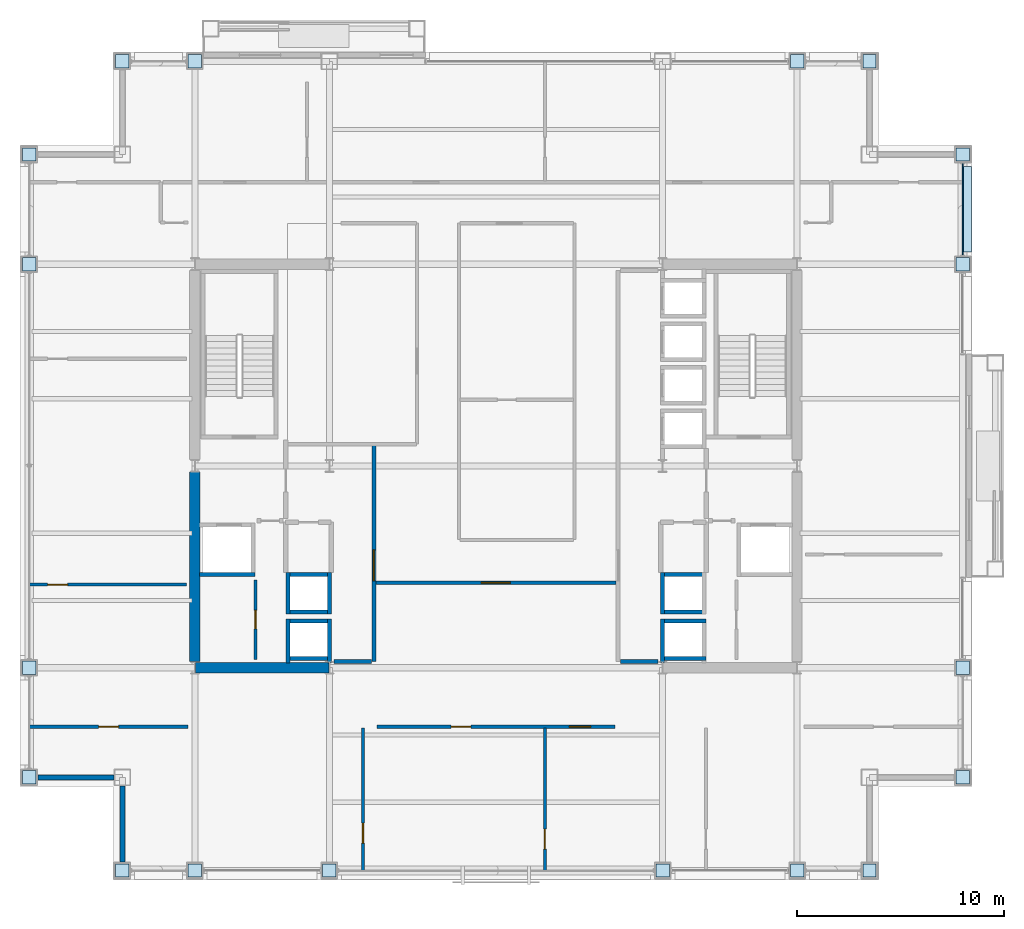
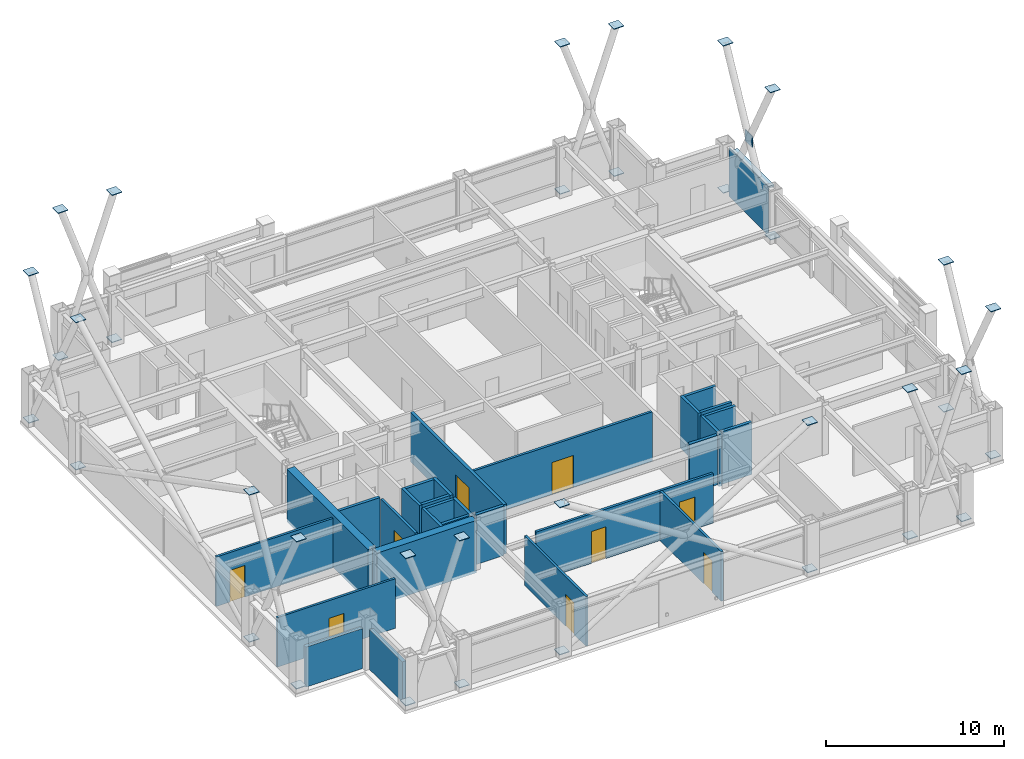
# One storey, part 27 of 33: 39 plates, 29 walls, 9 doors, 9 openings, 1 element without a shape of its own.
"""IFC4 building model written with IfcOpenShell, lengths in metres."""

from ifc_helpers import new_model, si_unit, direction, frame, frame_2d, origin, origin_2d, place, context, subcontext, project, spatial, rectangle, extrude, material, layer, layer_set, type_object, element, fill, aggregate, save


model = new_model("IFC4")

# Units and contexts
model_context = context("Model", 3, precision=1e-05, world=origin(), true_north=direction((0.0, 1.0)))
body_context = subcontext(model_context, "Body", "Model", "MODEL_VIEW")
ifc_project = project(units=[si_unit("LENGTHUNIT", "METRE"), si_unit("AREAUNIT", "SQUARE_METRE"), si_unit("VOLUMEUNIT", "CUBIC_METRE"), si_unit("PLANEANGLEUNIT", "RADIAN"), si_unit("MASSUNIT", "GRAM", prefix="KILO")], contexts=[model_context])

# Site, building, storey
site_placement = place(None, origin())
site = spatial("IfcSite", under=ifc_project, at=site_placement, CompositionType="ELEMENT")
building_placement = place(site_placement, origin())
building = spatial("IfcBuilding", under=site, at=building_placement, Name="Brelmoor Portico Tower", CompositionType="ELEMENT")
storey_placement = place(building_placement, frame((0.0, 0.0, 120.60009765625)))
storey = spatial("IfcBuildingStorey", under=building, at=storey_placement, Name="L31", CompositionType="ELEMENT", Elevation=120.60009765625)

# Plates
ifc_material_1 = material(Name="Steel Q355B", Category="steel")
ifc_layer_1 = layer(ifc_material_1, 0.044921875)
ifc_layer_set_1 = layer_set([ifc_layer_1], Name="Steel Q355B")
plate_type_1 = type_object("IfcPlateType", Name="PT-CAP-650", PredefinedType="SHEET", material=ifc_layer_set_1)
for number, where, z_axis, x_axis, name in (
    (1, (-18.050048828125, -19.550048828125, 0.2275390625), (0.0, 0.0, 1.0), (1.0, 0.0, 0.0), "L31 Continuous Mega-X Brace 064A Joint Cap Plate 1"),
    (2, (-14.550048828125, -19.550048828125, 10.327392578125), (0.0, 0.0, 1.0), (1.0, 0.0, 0.0), "L31 Continuous Mega-X Brace 064A Joint Cap Plate 2"),
    (3, (-14.550048828125, -19.550048828125, 0.2275390625), (0.0, 0.0, 1.0), (1.0, 0.0, 0.0), "L31 Split Mega-X Brace 064B1 Joint Cap Plate 1"),
    (4, (-18.050048828125, -19.550048828125, 10.327392578125), (0.0, 0.0, 1.0), (1.0, 0.0, 0.0), "L31 Split Mega-X Brace 064B2 Joint Cap Plate 2"),
    (5, (-8.050048828125, -19.550048828125, 0.2275390625), (0.0, 0.0, 1.0), (1.0, 0.0, 0.0), "L31 Continuous Mega-X Brace 065A Joint Cap Plate 1"),
    (6, (8.050048828125, -19.550048828125, 10.327392578125), (0.0, 0.0, 1.0), (1.0, 0.0, 0.0), "L31 Continuous Mega-X Brace 065A Joint Cap Plate 2"),
    (7, (8.050048828125, -19.550048828125, 0.2275390625), (0.0, 0.0, 1.0), (1.0, 0.0, 0.0), "L31 Split Mega-X Brace 065B1 Joint Cap Plate 1"),
    (8, (-8.050048828125, -19.550048828125, 10.327392578125), (0.0, 0.0, 1.0), (1.0, 0.0, 0.0), "L31 Split Mega-X Brace 065B2 Joint Cap Plate 2"),
    (9, (14.550048828125, -19.550048828125, 0.2275390625), (0.0, 0.0, 1.0), (1.0, 0.0, 0.0), "L31 Continuous Mega-X Brace 066A Joint Cap Plate 1"),
    (10, (18.050048828125, -19.550048828125, 10.327392578125), (0.0, 0.0, 1.0), (1.0, 0.0, 0.0), "L31 Continuous Mega-X Brace 066A Joint Cap Plate 2"),
    (11, (18.050048828125, -19.550048828125, 0.2275390625), (0.0, 0.0, 1.0), (1.0, 0.0, 0.0), "L31 Split Mega-X Brace 066B1 Joint Cap Plate 1"),
    (12, (14.550048828125, -19.550048828125, 10.327392578125), (0.0, 0.0, 1.0), (1.0, 0.0, 0.0), "L31 Split Mega-X Brace 066B2 Joint Cap Plate 2"),
    (13, (-18.050048828125, 19.550048828125, 0.2275390625), (0.0, 0.0, 1.0), (1.0, 0.0, 0.0), "L31 Continuous Mega-X Brace 067A Joint Cap Plate 1"),
    (14, (-14.550048828125, 19.550048828125, 10.327392578125), (0.0, 0.0, 1.0), (1.0, 0.0, 0.0), "L31 Continuous Mega-X Brace 067A Joint Cap Plate 2"),
    (15, (-14.550048828125, 19.550048828125, 0.2275390625), (0.0, 0.0, 1.0), (1.0, 0.0, 0.0), "L31 Split Mega-X Brace 067B1 Joint Cap Plate 1"),
    (16, (-18.050048828125, 19.550048828125, 10.327392578125), (0.0, 0.0, 1.0), (1.0, 0.0, 0.0), "L31 Split Mega-X Brace 067B2 Joint Cap Plate 2"),
    (17, (14.550048828125, 19.550048828125, 0.2275390625), (0.0, 0.0, 1.0), (1.0, 0.0, 0.0), "L31 Continuous Mega-X Brace 068A Joint Cap Plate 1"),
    (18, (18.050048828125, 19.550048828125, 10.327392578125), (0.0, 0.0, 1.0), (1.0, 0.0, 0.0), "L31 Continuous Mega-X Brace 068A Joint Cap Plate 2"),
    (19, (18.050048828125, 19.550048828125, 0.2275390625), (0.0, 0.0, 1.0), (1.0, 0.0, 0.0), "L31 Split Mega-X Brace 068B1 Joint Cap Plate 1"),
    (20, (14.550048828125, 19.550048828125, 10.327392578125), (0.0, 0.0, 1.0), (1.0, 0.0, 0.0), "L31 Split Mega-X Brace 068B2 Joint Cap Plate 2"),
    (21, (-22.550048828125, -15.050048828125, 0.2275390625), (0.0, 0.0, 1.0), (1.0, 0.0, 0.0), "L31 Continuous Mega-X Brace 069A Joint Cap Plate 1"),
    (22, (-22.550048828125, -9.75, 10.327392578125), (0.0, 0.0, 1.0), (1.0, 0.0, 0.0), "L31 Continuous Mega-X Brace 069A Joint Cap Plate 2"),
    (23, (-22.550048828125, -9.75, 0.2275390625), (0.0, 0.0, 1.0), (1.0, 0.0, 0.0), "L31 Split Mega-X Brace 069B1 Joint Cap Plate 1"),
    (24, (-22.550048828125, -15.050048828125, 10.327392578125), (0.0, 0.0, 1.0), (1.0, 0.0, 0.0), "L31 Split Mega-X Brace 069B2 Joint Cap Plate 2"),
    (25, (-22.550048828125, 9.75, 10.327392578125), (0.0, 0.0, 1.0), (1.0, 0.0, 0.0), "L31 Continuous Mega-X Brace 070A Joint Cap Plate 2"),
    (26, (-22.550048828125, 9.75, 0.2275390625), (0.0, 0.0, 1.0), (1.0, 0.0, 0.0), "L31 Split Mega-X Brace 070B1 Joint Cap Plate 1"),
    (27, (-22.550048828125, 15.050048828125, 10.327392578125), (0.0, 0.0, 1.0), (1.0, 0.0, 0.0), "L31 Continuous Mega-X Brace 071A Joint Cap Plate 2"),
    (28, (-22.550048828125, 15.050048828125, 0.2275390625), (0.0, 0.0, 1.0), (1.0, 0.0, 0.0), "L31 Split Mega-X Brace 071B1 Joint Cap Plate 1"),
    (29, (22.550048828125, -15.050048828125, 0.2275390625), (0.0, 0.0, 1.0), (1.0, 0.0, 0.0), "L31 Continuous Mega-X Brace 072A Joint Cap Plate 1"),
    (30, (22.550048828125, -9.75, 10.327392578125), (0.0, 0.0, 1.0), (1.0, 0.0, 0.0), "L31 Continuous Mega-X Brace 072A Joint Cap Plate 2"),
    (31, (22.550048828125, -9.75, 0.2275390625), (0.0, 0.0, 1.0), (1.0, 0.0, 0.0), "L31 Split Mega-X Brace 072B1 Joint Cap Plate 1"),
    (32, (22.550048828125, -15.050048828125, 10.327392578125), (0.0, 0.0, 1.0), (1.0, 0.0, 0.0), "L31 Split Mega-X Brace 072B2 Joint Cap Plate 2"),
    (33, (22.550048828125, 9.75, 0.2275390625), (0.0, 0.0, 1.0), (1.0, 0.0, 0.0), "L31 Continuous Mega-X Brace 073A Joint Cap Plate 1"),
    (34, (22.550048828125, 15.050048828125, 10.327392578125), (0.0, 0.0, 1.0), (1.0, 0.0, 0.0), "L31 Continuous Mega-X Brace 073A Joint Cap Plate 2"),
    (35, (22.550048828125, 15.050048828125, 0.2275390625), (0.0, 0.0, 1.0), (1.0, 0.0, 0.0), "L31 Split Mega-X Brace 073B1 Joint Cap Plate 1"),
    (36, (22.550048828125, 9.75, 10.327392578125), (0.0, 0.0, 1.0), (1.0, 0.0, 0.0), "L31 Split Mega-X Brace 073B2 Joint Cap Plate 2"),
):
    element("IfcPlate", number, at=place(storey_placement, frame(where, z_axis=z_axis, x_axis=x_axis)), inside=storey, type_object=plate_type_1, Name=name, PredefinedType="SHEET", context=body_context, shape_type="SweptSolid", body=[
        extrude(rectangle(XDim=0.64990234375, YDim=0.64990234375, at=origin_2d()), origin(), (0.0, 0.0, 1.0), 0.044921875),
    ])

# Curtain wall, plate
ifc_material_2 = material(Name="Anodised Aluminium Alloy 6063-T6", Category="aluminium")
ifc_layer_2 = layer(ifc_material_2, 0.179931640625)
ifc_layer_set_2 = layer_set([ifc_layer_2], Name="Anodised Aluminium Alloy 6063-T6")
curtain_wall_type = type_object("IfcCurtainWallType", Name="CW-TOWER-Z2-XB", PredefinedType="NOTDEFINED", material=ifc_layer_set_2)
curtain_wall_placement = place(storey_placement, origin())
curtain_wall = element("IfcCurtainWall", 37, at=curtain_wall_placement, inside=storey, type_object=curtain_wall_type, Name="L31 Curtain Wall CW-L31-4R-2", PredefinedType="NOTDEFINED")
ifc_material_3 = material(Name="Pale Champagne Anodised Aluminium Panel", Category="aluminium")
ifc_layer_3 = layer(ifc_material_3, 0.050048828125)
ifc_layer_set_3 = layer_set([ifc_layer_3], Name="Pale Champagne Anodised Aluminium Panel")
plate_type_2 = type_object("IfcPlateType", Name="PT-CW-SPANDREL", PredefinedType="SHEET", material=ifc_layer_set_3)
plate_1_placement = place(storey_placement, frame((22.550048828125, 12.39990234375, -0.000244140625), z_axis=(0.0, 0.0, 1.0), x_axis=(0.0, 1.0, 0.0)))
plate_1 = element("IfcPlate", 38, at=plate_1_placement, type_object=plate_type_2, Name="CW-L31-4R-2 Spandrel Panel 00", PredefinedType="SHEET", context=body_context, shape_type="SweptSolid", body=[
    extrude(rectangle(XDim=4.449951171875, YDim=0.050048828125, at=origin_2d()), origin(), (0.0, 0.0, 1.0), 3.330078125),
])
aggregate(curtain_wall, [plate_1])

# Plates
ifc_layer_4 = layer(ifc_material_1, 0.050048828125)
ifc_layer_set_4 = layer_set([ifc_layer_4], Name="Steel Q355B")
plate_type_3 = type_object("IfcPlateType", Name="PT-GUSSET-800", PredefinedType="USERDEFINED", material=ifc_layer_set_4)
plate_2_placement = place(storey_placement, frame((22.550048828125, 12.39990234375, 4.89990234375), z_axis=(0.0, 0.0, 1.0), x_axis=(1.0, 0.0, 0.0)))
element("IfcPlate", 39, at=plate_2_placement, inside=storey, type_object=plate_type_3, Name="L31 Perimeter Mega-Brace Gusset 073", ObjectType="GUSSET PLATE", PredefinedType="USERDEFINED", context=body_context, shape_type="SweptSolid", body=[
    extrude(rectangle(XDim=0.050048828125, YDim=0.800048828125, at=origin_2d()), origin(), (0.0, 0.0, 1.0), 0.800048828125),
])
ifc_material_4 = material(Name="Pale Champagne Perforated Aluminium Solar Screen", Category="aluminium")
ifc_layer_5 = layer(ifc_material_4, 0.054931640625)
ifc_layer_set_5 = layer_set([ifc_layer_5], Name="Pale Champagne Perforated Aluminium Solar Screen")
plate_type_4 = type_object("IfcPlateType", Name="PT-SOLAR-LOUVRE", PredefinedType="SHEET", material=ifc_layer_set_5)
plate_3_placement = place(storey_placement, frame((22.760009765625, 12.39990234375, 3.08984375), z_axis=(0.0, 0.0, 1.0), x_axis=(0.0, 1.0, 0.0)))
element("IfcPlate", 40, at=plate_3_placement, inside=storey, type_object=plate_type_4, Name="CW-L31-4R-2 Caribbean Brise-Soleil Solar Screen", PredefinedType="SHEET", context=body_context, shape_type="SweptSolid", body=[
    extrude(rectangle(XDim=4.1201171875, YDim=0.4599609375, at=origin_2d()), origin(), (0.0, 0.0, 1.0), 0.139892578125),
])

# Walls
ifc_material_5 = material(Name="Concrete C60", Category="concrete")
ifc_layer_6 = layer(ifc_material_5, 0.5)
ifc_layer_set_6 = layer_set([ifc_layer_6], Name="Concrete C60")
wall_type_1 = type_object("IfcWallType", Name="WL-CORE-500", PredefinedType="SHEAR", material=ifc_layer_set_6)
wall_1_placement = place(storey_placement, frame((-14.530029296875, -9.75, -0.2001953125), z_axis=(0.0, 0.0, 1.0), x_axis=(1.0, 0.0, 0.0)))
element("IfcWall", 41, at=wall_1_placement, inside=storey, type_object=wall_type_1, Name="L31 WC South Shear Wall", PredefinedType="SHEAR", context=body_context, shape_type="SweptSolid", body=[
    extrude(rectangle(XDim=6.4599609375, YDim=0.5, at=frame_2d((3.22998046875, 0.0))), origin(), (0.0, 0.0, 1.0), 3.60009765625),
])
wall_2_placement = place(storey_placement, frame((-14.550048828125, -9.449951171875, -0.2001953125), z_axis=(0.0, 0.0, 1.0), x_axis=(0.0, 1.0, 0.0)))
element("IfcWall", 42, at=wall_2_placement, inside=storey, type_object=wall_type_1, Name="L31 WC Outer South Shear Wall", PredefinedType="SHEAR", context=body_context, shape_type="SweptSolid", body=[
    extrude(rectangle(XDim=9.14990234375, YDim=0.5, at=frame_2d((4.574951171875, 0.0))), origin(), (0.0, 0.0, 1.0), 3.60009765625),
])
ifc_material_6 = material(Name="Precast Concrete C40 Insulated Facade Wall", Category="concrete")
ifc_layer_7 = layer(ifc_material_6, 0.25)
ifc_layer_set_7 = layer_set([ifc_layer_7], Name="Precast Concrete C40 Insulated Facade Wall")
wall_type_2 = type_object("IfcWallType", Name="WL-EXT-250", PredefinedType="STANDARD", material=ifc_layer_set_7)
for number, where, z_axis, x_axis, name in (
    (43, (-22.139892578125, -15.050048828125, 0.0), (0.0, 0.0, 1.0), (1.0, 0.0, 0.0), "L31 Corner Notch Facade Wall NSWH1"),
    (44, (-18.050048828125, -19.139892578125, 0.0), (0.0, 0.0, 1.0), (0.0, 1.0, 0.0), "L31 Corner Notch Facade Wall NSWV1"),
):
    element("IfcWall", number, at=place(storey_placement, frame(where, z_axis=z_axis, x_axis=x_axis)), inside=storey, type_object=wall_type_2, Name=name, PredefinedType="STANDARD", context=body_context, shape_type="SweptSolid", body=[
        extrude(rectangle(XDim=3.679931640625, YDim=0.25, at=frame_2d((1.83984375, 0.0))), origin(), (0.0, 0.0, 1.0), 2.75),
    ])

# Wall, opening, door
ifc_material_7 = material(Name="Wet-Area Moisture-Resistant Partition", Category="gypsum")
ifc_layer_8 = layer(ifc_material_7, 0.14990234375)
ifc_layer_set_8 = layer_set([ifc_layer_8], Name="Wet-Area Moisture-Resistant Partition")
wall_type_3 = type_object("IfcWallType", Name="WL-PART-150", PredefinedType="PARTITIONING", material=ifc_layer_set_8)
wall_3_placement = place(storey_placement, frame((-6.42578125, -19.56005859375, 0.0), z_axis=(0.0, 0.0, 1.0), x_axis=(0.0, 1.0, 0.0)))
wall_3 = element("IfcWall", 45, at=wall_3_placement, inside=storey, type_object=wall_type_3, Name="L31 South Suite Partition 1", PredefinedType="PARTITIONING", context=body_context, shape_type="SweptSolid", body=[
    extrude(rectangle(XDim=6.900146484375, YDim=0.14990234375, at=frame_2d((3.4501953125, 0.0))), origin(), (0.0, 0.0, 1.0), 3.39990234375),
])
opening_1_placement = place(wall_3_placement, frame((1.340087890625, 0.0, 0.0)))
opening_1 = element("IfcOpeningElement", 46, at=opening_1_placement, cuts=wall_3, Name="Opening D-IN2", PredefinedType="OPENING", context=body_context, shape_type="SweptSolid", body=[
    extrude(rectangle(XDim=0.9599609375, YDim=2.179931640625, at=frame_2d((0.47998046875, 1.08984375))), frame((0.0, 0.0849609375, 0.0), z_axis=(0.0, -1.0, 0.0), x_axis=(1.0, 0.0, 0.0)), (0.0, 0.0, 1.0), 0.169921875),
])
ifc_material_8 = material(Name="Lacquered Timber Suite Door", Category="wood")
door_type_1 = type_object("IfcDoorType", Name="DR-INT-950", OperationType="NOTDEFINED", PredefinedType="DOOR", material=ifc_material_8)
door_1_placement = place(opening_1_placement, origin())
door_1 = element("IfcDoor", 47, at=door_1_placement, inside=storey, type_object=door_type_1, Name="D-1376 L31 South Suite Connecting Door 1", OperationType="SINGLE_SWING_RIGHT", OverallHeight=2.179931640625, OverallWidth=0.9599609375, PredefinedType="DOOR", context=body_context, shape_type="SweptSolid", body=[
    extrude(rectangle(XDim=0.9599609375, YDim=2.179931640625, at=frame_2d((0.47998046875, 1.08984375))), frame((0.0, 0.02490234375, 0.0), z_axis=(0.0, -1.0, 0.0), x_axis=(1.0, 0.0, 0.0)), (0.0, 0.0, 1.0), 0.050048828125),
])
fill(opening_1, door_1)

wall_4_placement = place(storey_placement, frame((2.367431640625, -19.56005859375, 0.0), z_axis=(0.0, 0.0, 1.0), x_axis=(0.0, 1.0, 0.0)))
wall_4 = element("IfcWall", 48, at=wall_4_placement, inside=storey, type_object=wall_type_3, Name="L31 South Suite Partition 2", PredefinedType="PARTITIONING", context=body_context, shape_type="SweptSolid", body=[
    extrude(rectangle(XDim=6.900146484375, YDim=0.14990234375, at=frame_2d((3.4501953125, 0.0))), origin(), (0.0, 0.0, 1.0), 3.39990234375),
])
opening_2_placement = place(wall_4_placement, frame((1.050048828125, 0.0, 0.0)))
opening_2 = element("IfcOpeningElement", 49, at=opening_2_placement, cuts=wall_4, Name="Opening D-IN2", PredefinedType="OPENING", context=body_context, shape_type="SweptSolid", body=[
    extrude(rectangle(XDim=0.9599609375, YDim=2.179931640625, at=frame_2d((0.47998046875, 1.08984375))), frame((0.0, 0.0849609375, 0.0), z_axis=(0.0, -1.0, 0.0), x_axis=(1.0, 0.0, 0.0)), (0.0, 0.0, 1.0), 0.169921875),
])
door_2_placement = place(opening_2_placement, origin())
door_2 = element("IfcDoor", 50, at=door_2_placement, inside=storey, type_object=door_type_1, Name="D-1377 L31 South Suite Connecting Door 2", OperationType="SINGLE_SWING_LEFT", OverallHeight=2.179931640625, OverallWidth=0.9599609375, PredefinedType="DOOR", context=body_context, shape_type="SweptSolid", body=[
    extrude(rectangle(XDim=0.9599609375, YDim=2.179931640625, at=frame_2d((0.47998046875, 1.08984375))), frame((0.0, 0.02490234375, 0.0), z_axis=(0.0, -1.0, 0.0), x_axis=(1.0, 0.0, 0.0)), (0.0, 0.0, 1.0), 0.050048828125),
])
fill(opening_2, door_2)

wall_5_placement = place(storey_placement, frame((-22.56005859375, -12.60009765625, 0.0), z_axis=(0.0, 0.0, 1.0), x_axis=(1.0, 0.0, 0.0)))
wall_5 = element("IfcWall", 51, at=wall_5_placement, inside=storey, type_object=wall_type_3, Name="L31 South Wing Closure WL", PredefinedType="PARTITIONING", context=body_context, shape_type="SweptSolid", body=[
    extrude(rectangle(XDim=7.68017578125, YDim=0.14990234375, at=frame_2d((3.840087890625, 0.0))), origin(), (0.0, 0.0, 1.0), 3.39990234375),
])
opening_3_placement = place(wall_5_placement, frame((3.360107421875, 0.0, 0.0)))
opening_3 = element("IfcOpeningElement", 52, at=opening_3_placement, cuts=wall_5, Name="Opening D-IN2", PredefinedType="OPENING", context=body_context, shape_type="SweptSolid", body=[
    extrude(rectangle(XDim=0.9599609375, YDim=2.179931640625, at=frame_2d((0.47998046875, 1.08984375))), frame((0.0, 0.0849609375, 0.0), z_axis=(0.0, -1.0, 0.0), x_axis=(1.0, 0.0, 0.0)), (0.0, 0.0, 1.0), 0.169921875),
])
door_3_placement = place(opening_3_placement, origin())
door_3 = element("IfcDoor", 53, at=door_3_placement, inside=storey, type_object=door_type_1, Name="D-1382 L31 WL Wing South Suite Door", OperationType="SINGLE_SWING_LEFT", OverallHeight=2.179931640625, OverallWidth=0.9599609375, PredefinedType="DOOR", context=body_context, shape_type="SweptSolid", body=[
    extrude(rectangle(XDim=0.9599609375, YDim=2.179931640625, at=frame_2d((0.47998046875, 1.08984375))), frame((0.0, 0.02490234375, 0.0), z_axis=(0.0, -1.0, 0.0), x_axis=(1.0, 0.0, 0.0)), (0.0, 0.0, 1.0), 0.050048828125),
])
fill(opening_3, door_3)

wall_6_placement = place(storey_placement, frame((-22.56005859375, -5.72998046875, 0.0), z_axis=(0.0, 0.0, 1.0), x_axis=(1.0, 0.0, 0.0)))
wall_6 = element("IfcWall", 54, at=wall_6_placement, inside=storey, type_object=wall_type_3, Name="L31 W Wing Partition 1", PredefinedType="PARTITIONING", context=body_context, shape_type="SweptSolid", body=[
    extrude(rectangle(XDim=7.60009765625, YDim=0.14990234375, at=frame_2d((3.800048828125, 0.0))), origin(), (0.0, 0.0, 1.0), 3.39990234375),
])
opening_4_placement = place(wall_6_placement, frame((0.89990234375, 0.0, 0.0)))
opening_4 = element("IfcOpeningElement", 55, at=opening_4_placement, cuts=wall_6, Name="Opening D-IN2", PredefinedType="OPENING", context=body_context, shape_type="SweptSolid", body=[
    extrude(rectangle(XDim=0.9599609375, YDim=2.179931640625, at=frame_2d((0.47998046875, 1.08984375))), frame((0.0, 0.0849609375, 0.0), z_axis=(0.0, -1.0, 0.0), x_axis=(1.0, 0.0, 0.0)), (0.0, 0.0, 1.0), 0.169921875),
])
door_4_placement = place(opening_4_placement, origin())
door_4 = element("IfcDoor", 56, at=door_4_placement, inside=storey, type_object=door_type_1, Name="D-1388 L31 W Wing Suite Connecting Door 1", OperationType="SINGLE_SWING_RIGHT", OverallHeight=2.179931640625, OverallWidth=0.9599609375, PredefinedType="DOOR", context=body_context, shape_type="SweptSolid", body=[
    extrude(rectangle(XDim=0.9599609375, YDim=2.179931640625, at=frame_2d((0.47998046875, 1.08984375))), frame((0.0, 0.02490234375, 0.0), z_axis=(0.0, -1.0, 0.0), x_axis=(1.0, 0.0, 0.0)), (0.0, 0.0, 1.0), 0.050048828125),
])
fill(opening_4, door_4)

ifc_material_9 = material(Name="Twin-Frame Acoustic Partition", Category="gypsum")
ifc_layer_9 = layer(ifc_material_9, 0.159912109375)
ifc_layer_set_9 = layer_set([ifc_layer_9], Name="Twin-Frame Acoustic Partition")
wall_type_4 = type_object("IfcWallType", Name="WL-PART-160", PredefinedType="PARTITIONING", material=ifc_layer_set_9)
wall_7_placement = place(storey_placement, frame((-11.6201171875, -9.35009765625, 0.0), z_axis=(0.0, 0.0, 1.0), x_axis=(0.0, 1.0, 0.0)))
wall_7 = element("IfcWall", 57, at=wall_7_placement, inside=storey, type_object=wall_type_4, Name="L31 W Core Service Front Wall", PredefinedType="PARTITIONING", context=body_context, shape_type="SweptSolid", body=[
    extrude(rectangle(XDim=3.85009765625, YDim=0.159912109375, at=frame_2d((1.925048828125, 0.0))), origin(), (0.0, 0.0, 1.0), 3.39990234375),
])
opening_5_placement = place(wall_7_placement, frame((1.47509765625, 0.0, 0.0)))
opening_5 = element("IfcOpeningElement", 58, at=opening_5_placement, cuts=wall_7, Name="Opening D-IN1", PredefinedType="OPENING", context=body_context, shape_type="SweptSolid", body=[
    extrude(rectangle(XDim=0.89990234375, YDim=2.14990234375, at=frame_2d((0.449951171875, 1.074951171875))), frame((0.0, 0.08984375, 0.0), z_axis=(0.0, -1.0, 0.0), x_axis=(1.0, 0.0, 0.0)), (0.0, 0.0, 1.0), 0.179931640625),
])
door_type_2 = type_object("IfcDoorType", Name="DR-INT-900", OperationType="NOTDEFINED", PredefinedType="DOOR", material=ifc_material_8)
door_5_placement = place(opening_5_placement, origin())
door_5 = element("IfcDoor", 59, at=door_5_placement, inside=storey, type_object=door_type_2, Name="D-1359 L31 W Accessible WC Door", OperationType="SINGLE_SWING_RIGHT", OverallHeight=2.14990234375, OverallWidth=0.89990234375, PredefinedType="DOOR", context=body_context, shape_type="SweptSolid", body=[
    extrude(rectangle(XDim=0.89990234375, YDim=2.14990234375, at=frame_2d((0.449951171875, 1.074951171875))), frame((0.0, 0.02490234375, 0.0), z_axis=(0.0, -1.0, 0.0), x_axis=(1.0, 0.0, 0.0)), (0.0, 0.0, 1.0), 0.050048828125),
])
fill(opening_5, door_5)

wall_8_placement = place(storey_placement, frame((-5.800048828125, -5.64990234375, 0.0), z_axis=(0.0, 0.0, 1.0), x_axis=(1.0, 0.0, 0.0)))
wall_8 = element("IfcWall", 60, at=wall_8_placement, inside=storey, type_object=wall_type_4, Name="L31 South Hub Corridor Wall", PredefinedType="PARTITIONING", context=body_context, shape_type="SweptSolid", body=[
    extrude(rectangle(XDim=11.60009765625, YDim=0.159912109375, at=frame_2d((5.800048828125, 0.0))), origin(), (0.0, 0.0, 1.0), 3.39990234375),
])
opening_6_placement = place(wall_8_placement, frame((5.10009765625, 0.0, 0.0)))
opening_6 = element("IfcOpeningElement", 61, at=opening_6_placement, cuts=wall_8, Name="Opening D-SU2", PredefinedType="OPENING", context=body_context, shape_type="SweptSolid", body=[
    extrude(rectangle(XDim=1.39990234375, YDim=2.199951171875, at=frame_2d((0.699951171875, 1.10009765625))), frame((0.0, 0.08984375, 0.0), z_axis=(0.0, -1.0, 0.0), x_axis=(1.0, 0.0, 0.0)), (0.0, 0.0, 1.0), 0.179931640625),
])
ifc_material_10 = material(Name="Double-Leaf Acoustic Suite Door", Category="timber")
door_type_3 = type_object("IfcDoorType", Name="DR-SUITE-1400", OperationType="NOTDEFINED", PredefinedType="DOOR", material=ifc_material_10)
door_6_placement = place(opening_6_placement, origin())
door_6 = element("IfcDoor", 62, at=door_6_placement, inside=storey, type_object=door_type_3, Name="D-1353 L31 South Reception Hub Door", OperationType="DOUBLE_DOOR_SINGLE_SWING", OverallHeight=2.199951171875, OverallWidth=1.39990234375, PredefinedType="DOOR", context=body_context, shape_type="SweptSolid", body=[
    extrude(rectangle(XDim=1.39990234375, YDim=2.199951171875, at=frame_2d((0.699951171875, 1.10009765625))), frame((0.0, 0.02490234375, 0.0), z_axis=(0.0, -1.0, 0.0), x_axis=(1.0, 0.0, 0.0)), (0.0, 0.0, 1.0), 0.050048828125),
])
fill(opening_6, door_6)

# Wall, openings, doors
wall_9_placement = place(storey_placement, frame((-5.75, -12.60009765625, 0.0), z_axis=(0.0, 0.0, 1.0), x_axis=(1.0, 0.0, 0.0)))
wall_9 = element("IfcWall", 63, at=wall_9_placement, inside=storey, type_object=wall_type_4, Name="L31 South Corridor Partition", PredefinedType="PARTITIONING", context=body_context, shape_type="SweptSolid", body=[
    extrude(rectangle(XDim=11.5, YDim=0.159912109375, at=frame_2d((5.75, 0.0))), origin(), (0.0, 0.0, 1.0), 3.39990234375),
])
opening_7_placement = place(wall_9_placement, frame((3.57861328125, 0.0, 0.0)))
opening_7 = element("IfcOpeningElement", 64, at=opening_7_placement, cuts=wall_9, Name="Opening D-IN2", PredefinedType="OPENING", context=body_context, shape_type="SweptSolid", body=[
    extrude(rectangle(XDim=0.9599609375, YDim=2.179931640625, at=frame_2d((0.47998046875, 1.08984375))), frame((0.0, 0.08984375, 0.0), z_axis=(0.0, -1.0, 0.0), x_axis=(1.0, 0.0, 0.0)), (0.0, 0.0, 1.0), 0.179931640625),
])
opening_8_placement = place(wall_9_placement, frame((9.298583984375, 0.0, 0.0)))
opening_8 = element("IfcOpeningElement", 65, at=opening_8_placement, cuts=wall_9, Name="Opening D-OF1", PredefinedType="OPENING", context=body_context, shape_type="SweptSolid", body=[
    extrude(rectangle(XDim=1.02001953125, YDim=2.199951171875, at=frame_2d((0.510009765625, 1.10009765625))), frame((0.0, 0.08984375, 0.0), z_axis=(0.0, -1.0, 0.0), x_axis=(1.0, 0.0, 0.0)), (0.0, 0.0, 1.0), 0.179931640625),
])
door_7_placement = place(opening_7_placement, origin())
door_7 = element("IfcDoor", 66, at=door_7_placement, inside=storey, type_object=door_type_1, Name="D-1374 L31 South Project Consultation Room 2 Door", OperationType="SINGLE_SWING_LEFT", OverallHeight=2.179931640625, OverallWidth=0.9599609375, PredefinedType="DOOR", context=body_context, shape_type="SweptSolid", body=[
    extrude(rectangle(XDim=0.9599609375, YDim=2.179931640625, at=frame_2d((0.47998046875, 1.08984375))), frame((0.0, 0.02490234375, 0.0), z_axis=(0.0, -1.0, 0.0), x_axis=(1.0, 0.0, 0.0)), (0.0, 0.0, 1.0), 0.050048828125),
])
fill(opening_7, door_7)
ifc_material_11 = material(Name="Hardwood Acoustic Veneer Door", Category="wood")
door_type_4 = type_object("IfcDoorType", Name="DR-OFFICE-1000", OperationType="NOTDEFINED", PredefinedType="DOOR", material=ifc_material_11)
door_8_placement = place(opening_8_placement, origin())
door_8 = element("IfcDoor", 67, at=door_8_placement, inside=storey, type_object=door_type_4, Name="D-1375 L31 South Open-Plan Office 3 Door", OperationType="SINGLE_SWING_RIGHT", OverallHeight=2.199951171875, OverallWidth=1.02001953125, PredefinedType="DOOR", context=body_context, shape_type="SweptSolid", body=[
    extrude(rectangle(XDim=1.02001953125, YDim=2.199951171875, at=frame_2d((0.510009765625, 1.10009765625))), frame((0.0, 0.02490234375, 0.0), z_axis=(0.0, -1.0, 0.0), x_axis=(1.0, 0.0, 0.0)), (0.0, 0.0, 1.0), 0.050048828125),
])
fill(opening_8, door_8)

# Wall, opening, door
ifc_material_12 = material(Name="Double-Stud Gypsum Fire Partition", Category="gypsum")
ifc_layer_10 = layer(ifc_material_12, 0.199951171875)
ifc_layer_set_10 = layer_set([ifc_layer_10], Name="Double-Stud Gypsum Fire Partition")
wall_type_5 = type_object("IfcWallType", Name="WL-PART-200", PredefinedType="PARTITIONING", material=ifc_layer_set_10)
wall_10_placement = place(storey_placement, frame((-5.89990234375, -9.449951171875, 0.0), z_axis=(0.0, 0.0, 1.0), x_axis=(0.0, 1.0, 0.0)))
wall_10 = element("IfcWall", 68, at=wall_10_placement, inside=storey, type_object=wall_type_5, Name="L31 W Core Lobby Compartment Wall", PredefinedType="PARTITIONING", context=body_context, shape_type="SweptSolid", body=[
    extrude(rectangle(XDim=10.5, YDim=0.199951171875, at=frame_2d((5.25, 0.0))), origin(), (0.0, 0.0, 1.0), 3.39990234375),
])
opening_9_placement = place(wall_10_placement, frame((3.89990234375, 0.0, 0.0)))
opening_9 = element("IfcOpeningElement", 69, at=opening_9_placement, cuts=wall_10, Name="Opening D-LB1", PredefinedType="OPENING", context=body_context, shape_type="SweptSolid", body=[
    extrude(rectangle(XDim=1.5, YDim=2.199951171875, at=frame_2d((0.75, 1.10009765625))), frame((0.0, 0.10986328125, 0.0), z_axis=(0.0, -1.0, 0.0), x_axis=(1.0, 0.0, 0.0)), (0.0, 0.0, 1.0), 0.219970703125),
])
ifc_material_13 = material(Name="Double-Leaf Glazed Steel Fire Door", Category="steel")
door_type_5 = type_object("IfcDoorType", Name="DR-LOBBY-1500", OperationType="NOTDEFINED", PredefinedType="DOOR", material=ifc_material_13)
door_9_placement = place(opening_9_placement, origin())
door_9 = element("IfcDoor", 70, at=door_9_placement, inside=storey, type_object=door_type_5, Name="D-1365 L31 W Lift Lobby Main Door", OperationType="DOUBLE_DOOR_SINGLE_SWING", OverallHeight=2.199951171875, OverallWidth=1.5, PredefinedType="DOOR", context=body_context, shape_type="SweptSolid", body=[
    extrude(rectangle(XDim=1.5, YDim=2.199951171875, at=frame_2d((0.75, 1.10009765625))), frame((0.0, 0.02490234375, 0.0), z_axis=(0.0, -1.0, 0.0), x_axis=(1.0, 0.0, 0.0)), (0.0, 0.0, 1.0), 0.050048828125),
])
fill(opening_9, door_9)

# Walls
for number, where, z_axis, x_axis, name in (
    (71, (-6.02001953125, -9.449951171875, 0.0), (0.0, 0.0, 1.0), (-1.0, 0.0, 0.0), "L31 W Lift Lobby South End Wall"),
    (72, (6.02001953125, -9.449951171875, 0.0), (0.0, 0.0, 1.0), (1.0, 0.0, 0.0), "L31 E Lift Lobby South End Wall"),
):
    element("IfcWall", number, at=place(storey_placement, frame(where, z_axis=z_axis, x_axis=x_axis)), inside=storey, type_object=wall_type_5, Name=name, PredefinedType="PARTITIONING", context=body_context, shape_type="SweptSolid", body=[
        extrude(rectangle(XDim=1.800048828125, YDim=0.199951171875, at=frame_2d((0.89990234375, 0.0))), origin(), (0.0, 0.0, 1.0), 3.39990234375),
    ])
ifc_material_14 = material(Name="Precast Concrete C40", Category="concrete")
ifc_layer_11 = layer(ifc_material_14, 0.18994140625)
ifc_layer_set_11 = layer_set([ifc_layer_11], Name="Precast Concrete C40")
wall_type_6 = type_object("IfcWallType", Name="WL-SHAFT-180", PredefinedType="SOLIDWALL", material=ifc_layer_set_11)
for number, where, z_axis, x_axis, name in (
    (73, (-8.044921875, -9.52001953125, -0.2001953125), (0.0, 0.0, 1.0), (0.0, 1.0, 0.0), "L31 Lift PH1 Hoistway Front Wall"),
    (74, (-10.054931640625, -9.52001953125, -0.2001953125), (0.0, 0.0, 1.0), (0.0, 1.0, 0.0), "L31 Lift PH1 Hoistway Back Wall"),
):
    element("IfcWall", number, at=place(storey_placement, frame(where, z_axis=z_axis, x_axis=x_axis)), inside=storey, type_object=wall_type_6, Name=name, PredefinedType="SOLIDWALL", context=body_context, shape_type="SweptSolid", body=[
        extrude(rectangle(XDim=2.1201171875, YDim=0.18994140625, at=frame_2d((1.06005859375, 0.0))), origin(), (0.0, 0.0, 1.0), 3.60009765625),
    ])
for number, where, z_axis, x_axis, name in (
    (75, (-10.14990234375, -7.4951171875, -0.2001953125), (0.0, 0.0, 1.0), (1.0, 0.0, 0.0), "L31 Lift PH1 Hoistway North Wall"),
    (76, (-10.14990234375, -9.304931640625, -0.2001953125), (0.0, 0.0, 1.0), (1.0, 0.0, 0.0), "L31 Lift PH1 Hoistway South Wall"),
):
    element("IfcWall", number, at=place(storey_placement, frame(where, z_axis=z_axis, x_axis=x_axis)), inside=storey, type_object=wall_type_6, Name=name, PredefinedType="SOLIDWALL", context=body_context, shape_type="SweptSolid", body=[
        extrude(rectangle(XDim=2.199951171875, YDim=0.18994140625, at=frame_2d((1.10009765625, 0.0))), origin(), (0.0, 0.0, 1.0), 3.60009765625),
    ])
for number, where, z_axis, x_axis, name in (
    (77, (-8.044921875, -7.14990234375, -0.2001953125), (0.0, 0.0, 1.0), (0.0, 1.0, 0.0), "L31 Lift PH2 Hoistway Front Wall"),
    (78, (-10.054931640625, -7.14990234375, -0.2001953125), (0.0, 0.0, 1.0), (0.0, 1.0, 0.0), "L31 Lift PH2 Hoistway Back Wall"),
):
    element("IfcWall", number, at=place(storey_placement, frame(where, z_axis=z_axis, x_axis=x_axis)), inside=storey, type_object=wall_type_6, Name=name, PredefinedType="SOLIDWALL", context=body_context, shape_type="SweptSolid", body=[
        extrude(rectangle(XDim=2.0, YDim=0.18994140625, at=frame_2d((1.0, 0.0))), origin(), (0.0, 0.0, 1.0), 3.60009765625),
    ])
for number, where, z_axis, x_axis, name in (
    (79, (-10.14990234375, -5.2451171875, -0.2001953125), (0.0, 0.0, 1.0), (1.0, 0.0, 0.0), "L31 Lift PH2 Hoistway North Wall"),
    (80, (-10.14990234375, -7.054931640625, -0.2001953125), (0.0, 0.0, 1.0), (1.0, 0.0, 0.0), "L31 Lift PH2 Hoistway South Wall"),
):
    element("IfcWall", number, at=place(storey_placement, frame(where, z_axis=z_axis, x_axis=x_axis)), inside=storey, type_object=wall_type_6, Name=name, PredefinedType="SOLIDWALL", context=body_context, shape_type="SweptSolid", body=[
        extrude(rectangle(XDim=2.199951171875, YDim=0.18994140625, at=frame_2d((1.10009765625, 0.0))), origin(), (0.0, 0.0, 1.0), 3.60009765625),
    ])
wall_11_placement = place(storey_placement, frame((8.044921875, -9.52001953125, -0.2001953125), z_axis=(0.0, 0.0, 1.0), x_axis=(0.0, 1.0, 0.0)))
element("IfcWall", 81, at=wall_11_placement, inside=storey, type_object=wall_type_6, Name="L31 Lift PH3 Hoistway Front Wall", PredefinedType="SOLIDWALL", context=body_context, shape_type="SweptSolid", body=[
    extrude(rectangle(XDim=2.1201171875, YDim=0.18994140625, at=frame_2d((1.06005859375, 0.0))), origin(), (0.0, 0.0, 1.0), 3.60009765625),
])
for number, where, z_axis, x_axis, name in (
    (82, (7.949951171875, -7.4951171875, -0.2001953125), (0.0, 0.0, 1.0), (1.0, 0.0, 0.0), "L31 Lift PH3 Hoistway North Wall"),
    (83, (7.949951171875, -9.304931640625, -0.2001953125), (0.0, 0.0, 1.0), (1.0, 0.0, 0.0), "L31 Lift PH3 Hoistway South Wall"),
):
    element("IfcWall", number, at=place(storey_placement, frame(where, z_axis=z_axis, x_axis=x_axis)), inside=storey, type_object=wall_type_6, Name=name, PredefinedType="SOLIDWALL", context=body_context, shape_type="SweptSolid", body=[
        extrude(rectangle(XDim=2.199951171875, YDim=0.18994140625, at=frame_2d((1.10009765625, 0.0))), origin(), (0.0, 0.0, 1.0), 3.60009765625),
    ])
wall_12_placement = place(storey_placement, frame((8.044921875, -7.14990234375, -0.2001953125), z_axis=(0.0, 0.0, 1.0), x_axis=(0.0, 1.0, 0.0)))
element("IfcWall", 84, at=wall_12_placement, inside=storey, type_object=wall_type_6, Name="L31 Lift PH4 Hoistway Front Wall", PredefinedType="SOLIDWALL", context=body_context, shape_type="SweptSolid", body=[
    extrude(rectangle(XDim=2.0, YDim=0.18994140625, at=frame_2d((1.0, 0.0))), origin(), (0.0, 0.0, 1.0), 3.60009765625),
])
for number, where, z_axis, x_axis, name in (
    (85, (7.949951171875, -5.2451171875, -0.2001953125), (0.0, 0.0, 1.0), (1.0, 0.0, 0.0), "L31 Lift PH4 Hoistway North Wall"),
    (86, (7.949951171875, -7.054931640625, -0.2001953125), (0.0, 0.0, 1.0), (1.0, 0.0, 0.0), "L31 Lift PH4 Hoistway South Wall"),
):
    element("IfcWall", number, at=place(storey_placement, frame(where, z_axis=z_axis, x_axis=x_axis)), inside=storey, type_object=wall_type_6, Name=name, PredefinedType="SOLIDWALL", context=body_context, shape_type="SweptSolid", body=[
        extrude(rectangle(XDim=2.199951171875, YDim=0.18994140625, at=frame_2d((1.10009765625, 0.0))), origin(), (0.0, 0.0, 1.0), 3.60009765625),
    ])
wall_13_placement = place(storey_placement, frame((-14.330078125, -5.2548828125, -0.2001953125), z_axis=(0.0, 0.0, 1.0), x_axis=(1.0, 0.0, 0.0)))
element("IfcWall", 87, at=wall_13_placement, inside=storey, type_object=wall_type_6, Name="L31 Firefighting Lift FF1 South Wall", PredefinedType="SOLIDWALL", context=body_context, shape_type="SweptSolid", body=[
    extrude(rectangle(XDim=2.68017578125, YDim=0.18994140625, at=frame_2d((1.340087890625, 0.0))), origin(), (0.0, 0.0, 1.0), 3.60009765625),
])

save(model, "model.ifc")
